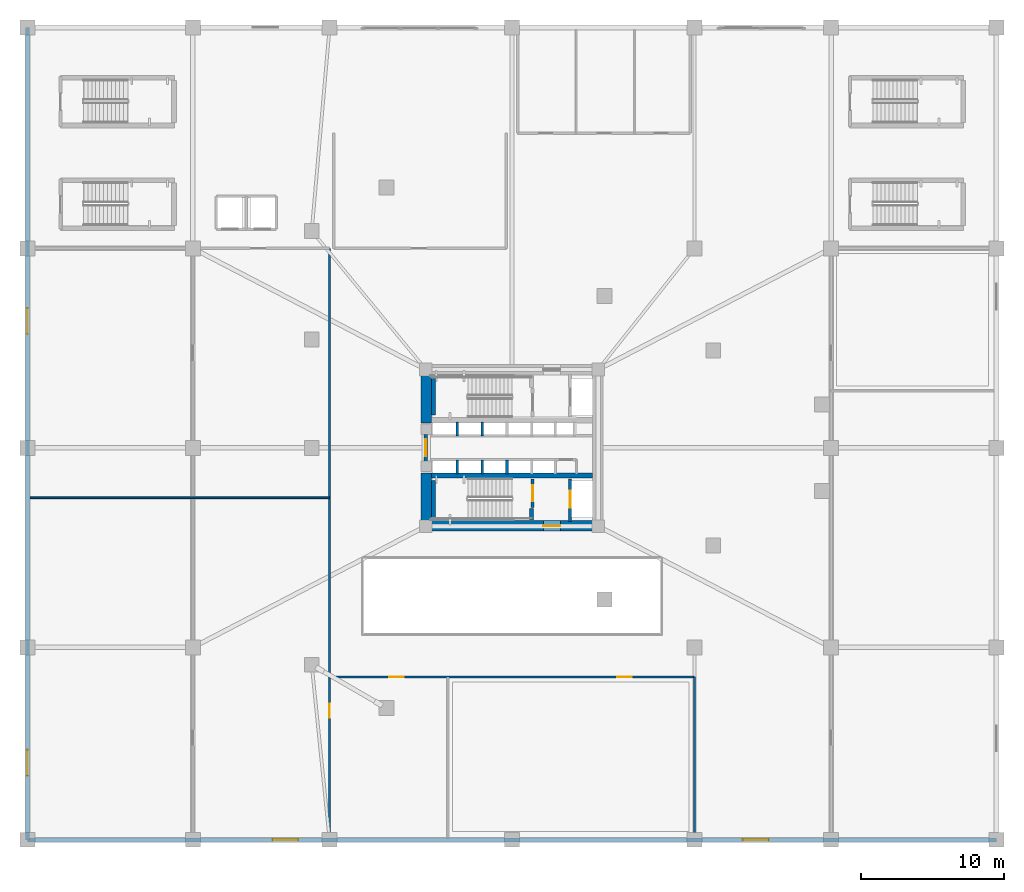
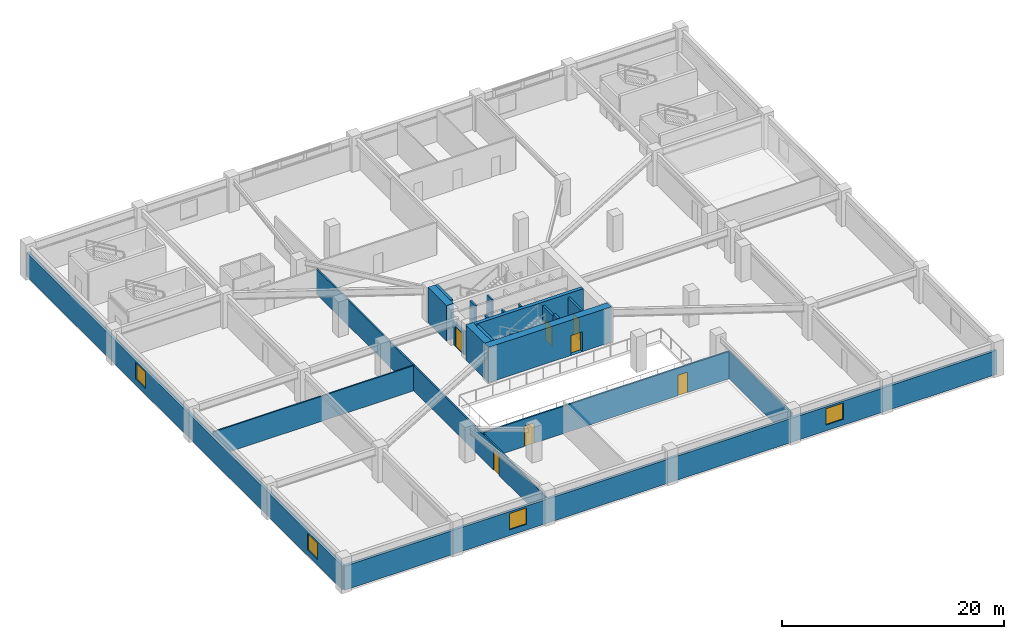
# One storey, part 4 of 15: 21 walls, 7 doors, 4 windows, 11 openings.
"""IFC4 building model written with IfcOpenShell, lengths in metres."""

from ifc_helpers import new_model, si_unit, direction, frame, frame_2d, origin, place, context, subcontext, project, spatial, rectangle, extrude, material, layer, layer_set, type_object, element, fill, save


model = new_model("IFC4")

# Units and contexts
model_context = context("Model", 3, precision=1e-05, world=origin(), true_north=direction((0.0, 1.0)))
body_context = subcontext(model_context, "Body", "Model", "MODEL_VIEW")
ifc_project = project(units=[si_unit("LENGTHUNIT", "METRE"), si_unit("AREAUNIT", "SQUARE_METRE"), si_unit("VOLUMEUNIT", "CUBIC_METRE"), si_unit("PLANEANGLEUNIT", "RADIAN"), si_unit("MASSUNIT", "GRAM", prefix="KILO")], contexts=[model_context])

# Site, building, storey
site_placement = place(None, origin())
site = spatial("IfcSite", under=ifc_project, at=site_placement, CompositionType="ELEMENT")
building_placement = place(site_placement, origin())
building = spatial("IfcBuilding", under=site, at=building_placement, Name="Yunling Apex Tower", CompositionType="ELEMENT")
storey_placement = place(building_placement, frame((0.0, 0.0, 12.300048828125)))
storey = spatial("IfcBuildingStorey", under=building, at=storey_placement, Name="L04", CompositionType="ELEMENT", Elevation=12.300048828125)

# Wall, opening, door
ifc_material_1 = material(Name="Concrete C60", Category="concrete")
ifc_layer_1 = layer(ifc_material_1, 0.75)
ifc_layer_set_1 = layer_set([ifc_layer_1], Name="Concrete C60")
wall_type_1 = type_object("IfcWallType", Name="WL-COR-1", PredefinedType="SHEAR", material=ifc_layer_set_1)
wall_1_placement = place(storey_placement, frame((-6.39990234375, -5.47509765625, 0.0), z_axis=(0.0, 0.0, 1.0), x_axis=(1.0, 0.0, 0.0)))
wall_1 = element("IfcWall", 1, at=wall_1_placement, inside=storey, type_object=wall_type_1, Name="L04 South Core Shear Wall", PredefinedType="SHEAR", context=body_context, shape_type="SweptSolid", body=[
    extrude(rectangle(XDim=12.7998046875, YDim=0.75, at=frame_2d((6.39990234375, 0.0))), origin(), (0.0, 0.0, 1.0), 3.89990234375),
])
opening_1_placement = place(wall_1_placement, frame((8.60009765625, 0.0, 0.0)))
opening_1 = element("IfcOpeningElement", 2, at=opening_1_placement, cuts=wall_1, Name="Opening DR-FFL-1", PredefinedType="OPENING", context=body_context, shape_type="SweptSolid", body=[
    extrude(rectangle(XDim=1.199951171875, YDim=2.199951171875, at=frame_2d((0.60009765625, 1.10009765625))), frame((0.0, 0.385009765625, 0.0), z_axis=(0.0, -1.0, 0.0), x_axis=(1.0, 0.0, 0.0)), (0.0, 0.0, 1.0), 0.77001953125),
])
ifc_material_2 = material(Name="Steel Q355B", Category="steel")
door_type_1 = type_object("IfcDoorType", Name="DR-FFL-1", OperationType="NOTDEFINED", PredefinedType="DOOR", material=ifc_material_2)
door_1_placement = place(opening_1_placement, origin())
door_1 = element("IfcDoor", 3, at=door_1_placement, inside=storey, type_object=door_type_1, Name="L04 South Firefighting Lobby Door", OperationType="SINGLE_SWING_RIGHT", OverallHeight=2.199951171875, OverallWidth=1.199951171875, PredefinedType="DOOR", context=body_context, shape_type="SweptSolid", body=[
    extrude(rectangle(XDim=1.199951171875, YDim=2.199951171875, at=frame_2d((0.60009765625, 1.10009765625))), frame((0.0, 0.02490234375, 0.0), z_axis=(0.0, -1.0, 0.0), x_axis=(1.0, 0.0, 0.0)), (0.0, 0.0, 1.0), 0.050048828125),
])
fill(opening_1, door_1)

# Walls
for number, where, z_axis, x_axis, name in (
    (4, (-6.02490234375, -5.10009765625, 0.0), (0.0, 0.0, 1.0), (0.0, 1.0, 0.0), "L04 West-South Core Shear Wall"),
    (5, (-6.02490234375, 1.75, 0.0), (0.0, 0.0, 1.0), (0.0, 1.0, 0.0), "L04 West-North Core Shear Wall"),
):
    element("IfcWall", number, at=place(storey_placement, frame(where, z_axis=z_axis, x_axis=x_axis)), inside=storey, type_object=wall_type_1, Name=name, PredefinedType="SHEAR", context=body_context, shape_type="SweptSolid", body=[
        extrude(rectangle(XDim=3.35009765625, YDim=0.75, at=frame_2d((1.675048828125, 0.0))), origin(), (0.0, 0.0, 1.0), 3.89990234375),
    ])
ifc_material_3 = material(Name="Concrete C40", Category="concrete")
ifc_layer_2 = layer(ifc_material_3, 0.360107421875)
ifc_layer_set_2 = layer_set([ifc_layer_2], Name="Concrete C40")
wall_type_2 = type_object("IfcWallType", Name="WL-COR-4", PredefinedType="SHEAR", material=ifc_layer_set_2)
wall_2_placement = place(storey_placement, frame((-5.64990234375, -1.93994140625, 0.0), z_axis=(0.0, 0.0, 1.0), x_axis=(1.0, 0.0, 0.0)))
element("IfcWall", 6, at=wall_2_placement, inside=storey, type_object=wall_type_2, Name="L04 South Internal Core Shear Wall", PredefinedType="SHEAR", context=body_context, shape_type="SweptSolid", body=[
    extrude(rectangle(XDim=11.2998046875, YDim=0.360107421875, at=frame_2d((5.64990234375, 0.0))), origin(), (0.0, 0.0, 1.0), 3.89990234375),
])
ifc_layer_3 = layer(ifc_material_3, 0.280029296875)
ifc_layer_set_3 = layer_set([ifc_layer_3], Name="Concrete C40")
wall_type_3 = type_object("IfcWallType", Name="WL-COR-8", PredefinedType="SHEAR", material=ifc_layer_set_3)
for number, where, z_axis, x_axis, name in (
    (7, (-5.52001953125, 2.300048828125, 0.0), (0.0, 0.0, 1.0), (0.0, 1.0, 0.0), "L04 ST-1 West Landing Bearing Wall"),
    (8, (-5.52001953125, -5.050048828125, 0.0), (0.0, 0.0, 1.0), (0.0, 1.0, 0.0), "L04 ST-2 West Landing Bearing Wall"),
):
    element("IfcWall", number, at=place(storey_placement, frame(where, z_axis=z_axis, x_axis=x_axis)), inside=storey, type_object=wall_type_3, Name=name, PredefinedType="SHEAR", context=body_context, shape_type="SweptSolid", body=[
        extrude(rectangle(XDim=2.75, YDim=0.280029296875, at=frame_2d((1.375, 0.0))), origin(), (0.0, 0.0, 1.0), 3.89990234375),
    ])
wall_3_placement = place(storey_placement, frame((1.3798828125, -5.050048828125, 0.0), z_axis=(0.0, 0.0, 1.0), x_axis=(0.0, 1.0, 0.0)))
element("IfcWall", 9, at=wall_3_placement, inside=storey, type_object=wall_type_3, Name="L04 ST-2 East Landing Bearing Pier", PredefinedType="SHEAR", context=body_context, shape_type="SweptSolid", body=[
    extrude(rectangle(XDim=0.800048828125, YDim=0.280029296875, at=frame_2d((0.39990234375, 0.0))), origin(), (0.0, 0.0, 1.0), 3.89990234375),
])

# Wall, openings, windows
ifc_material_4 = material(Name="Precast concrete C40", Category="concrete")
ifc_layer_4 = layer(ifc_material_4, 0.280029296875)
ifc_layer_set_4 = layer_set([ifc_layer_4], Name="Precast concrete C40")
wall_type_4 = type_object("IfcWallType", Name="WL-EXT-2", PredefinedType="SOLIDWALL", material=ifc_layer_set_4)
wall_4_placement = place(storey_placement, frame((34.0, -27.5, 0.0), z_axis=(0.0, 0.0, 1.0), x_axis=(-1.0, 0.0, 0.0)))
wall_4 = element("IfcWall", 10, at=wall_4_placement, inside=storey, type_object=wall_type_4, Name="WL-POD-L04-S", PredefinedType="SOLIDWALL", context=body_context, shape_type="SweptSolid", body=[
    extrude(rectangle(XDim=68.0, YDim=0.280029296875, at=frame_2d((34.0, 0.0))), origin(), (0.0, 0.0, 1.0), 2.64990234375),
])
opening_2_placement = place(wall_4_placement, frame((16.0, 0.0, 0.64990234375)))
opening_2 = element("IfcOpeningElement", 11, at=opening_2_placement, cuts=wall_4, Name="Opening WN-POD-2", PredefinedType="OPENING", context=body_context, shape_type="SweptSolid", body=[
    extrude(rectangle(XDim=1.800048828125, YDim=1.800048828125, at=frame_2d((0.89990234375, 0.89990234375))), frame((0.0, 0.14990234375, 0.0), z_axis=(0.0, -1.0, 0.0), x_axis=(1.0, 0.0, 0.0)), (0.0, 0.0, 1.0), 0.300048828125),
])
opening_3_placement = place(wall_4_placement, frame((49.0, 0.0, 0.64990234375)))
opening_3 = element("IfcOpeningElement", 12, at=opening_3_placement, cuts=wall_4, Name="Opening WN-POD-2", PredefinedType="OPENING", context=body_context, shape_type="SweptSolid", body=[
    extrude(rectangle(XDim=1.800048828125, YDim=1.800048828125, at=frame_2d((0.89990234375, 0.89990234375))), frame((0.0, 0.14990234375, 0.0), z_axis=(0.0, -1.0, 0.0), x_axis=(1.0, 0.0, 0.0)), (0.0, 0.0, 1.0), 0.300048828125),
])
ifc_material_5 = material(Name="Bronze tinted low-E glass", Category="glass")
window_type = type_object("IfcWindowType", Name="WN-POD-2", PartitioningType="SINGLE_PANEL", PredefinedType="WINDOW", material=ifc_material_5)
window_1_placement = place(opening_2_placement, origin())
window_1 = element("IfcWindow", 13, at=window_1_placement, inside=storey, type_object=window_type, Name="WN-L04-S-1", OverallHeight=1.800048828125, OverallWidth=1.800048828125, PartitioningType="SINGLE_PANEL", PredefinedType="WINDOW", context=body_context, shape_type="SweptSolid", body=[
    extrude(rectangle(XDim=1.800048828125, YDim=1.800048828125, at=frame_2d((0.89990234375, 0.89990234375))), frame((0.0, 0.030029296875, 0.0), z_axis=(0.0, -1.0, 0.0), x_axis=(1.0, 0.0, 0.0)), (0.0, 0.0, 1.0), 0.06005859375),
])
fill(opening_2, window_1)
window_2_placement = place(opening_3_placement, origin())
window_2 = element("IfcWindow", 14, at=window_2_placement, inside=storey, type_object=window_type, Name="WN-L04-S-2", OverallHeight=1.800048828125, OverallWidth=1.800048828125, PartitioningType="SINGLE_PANEL", PredefinedType="WINDOW", context=body_context, shape_type="SweptSolid", body=[
    extrude(rectangle(XDim=1.800048828125, YDim=1.800048828125, at=frame_2d((0.89990234375, 0.89990234375))), frame((0.0, 0.030029296875, 0.0), z_axis=(0.0, -1.0, 0.0), x_axis=(1.0, 0.0, 0.0)), (0.0, 0.0, 1.0), 0.06005859375),
])
fill(opening_3, window_2)

wall_5_placement = place(storey_placement, frame((-34.0, -27.5, 0.0), z_axis=(0.0, 0.0, 1.0), x_axis=(0.0, 1.0, 0.0)))
wall_5 = element("IfcWall", 15, at=wall_5_placement, inside=storey, type_object=wall_type_4, Name="WL-POD-L04-W", PredefinedType="SOLIDWALL", context=body_context, shape_type="SweptSolid", body=[
    extrude(rectangle(XDim=57.0, YDim=0.280029296875, at=frame_2d((28.5, 0.0))), origin(), (0.0, 0.0, 1.0), 2.64990234375),
])
opening_4_placement = place(wall_5_placement, frame((4.5, 0.0, 0.64990234375)))
opening_4 = element("IfcOpeningElement", 16, at=opening_4_placement, cuts=wall_5, Name="Opening WN-POD-2", PredefinedType="OPENING", context=body_context, shape_type="SweptSolid", body=[
    extrude(rectangle(XDim=1.800048828125, YDim=1.800048828125, at=frame_2d((0.89990234375, 0.89990234375))), frame((0.0, 0.14990234375, 0.0), z_axis=(0.0, -1.0, 0.0), x_axis=(1.0, 0.0, 0.0)), (0.0, 0.0, 1.0), 0.300048828125),
])
opening_5_placement = place(wall_5_placement, frame((35.5, 0.0, 0.64990234375)))
opening_5 = element("IfcOpeningElement", 17, at=opening_5_placement, cuts=wall_5, Name="Opening WN-POD-2", PredefinedType="OPENING", context=body_context, shape_type="SweptSolid", body=[
    extrude(rectangle(XDim=1.800048828125, YDim=1.800048828125, at=frame_2d((0.89990234375, 0.89990234375))), frame((0.0, 0.14990234375, 0.0), z_axis=(0.0, -1.0, 0.0), x_axis=(1.0, 0.0, 0.0)), (0.0, 0.0, 1.0), 0.300048828125),
])
window_3_placement = place(opening_4_placement, origin())
window_3 = element("IfcWindow", 18, at=window_3_placement, inside=storey, type_object=window_type, Name="WN-L04-W-1", OverallHeight=1.800048828125, OverallWidth=1.800048828125, PartitioningType="SINGLE_PANEL", PredefinedType="WINDOW", context=body_context, shape_type="SweptSolid", body=[
    extrude(rectangle(XDim=1.800048828125, YDim=1.800048828125, at=frame_2d((0.89990234375, 0.89990234375))), frame((0.0, 0.030029296875, 0.0), z_axis=(0.0, -1.0, 0.0), x_axis=(1.0, 0.0, 0.0)), (0.0, 0.0, 1.0), 0.06005859375),
])
fill(opening_4, window_3)
window_4_placement = place(opening_5_placement, origin())
window_4 = element("IfcWindow", 19, at=window_4_placement, inside=storey, type_object=window_type, Name="WN-L04-W-2", OverallHeight=1.800048828125, OverallWidth=1.800048828125, PartitioningType="SINGLE_PANEL", PredefinedType="WINDOW", context=body_context, shape_type="SweptSolid", body=[
    extrude(rectangle(XDim=1.800048828125, YDim=1.800048828125, at=frame_2d((0.89990234375, 0.89990234375))), frame((0.0, 0.030029296875, 0.0), z_axis=(0.0, -1.0, 0.0), x_axis=(1.0, 0.0, 0.0)), (0.0, 0.0, 1.0), 0.06005859375),
])
fill(opening_5, window_4)

# Wall, opening, door
ifc_material_6 = material(Name="Gypsum board acoustic partition")
ifc_layer_5 = layer(ifc_material_6, 0.159912109375)
ifc_layer_set_5 = layer_set([ifc_layer_5], Name="Gypsum board acoustic partition")
wall_type_5 = type_object("IfcWallType", Name="WL-PRT-1", PredefinedType="PARTITIONING", material=ifc_layer_set_5)
wall_6_placement = place(storey_placement, frame((-12.800048828125, -27.35009765625, 0.0), z_axis=(0.0, 0.0, 1.0), x_axis=(0.0, 1.0, 0.0)))
wall_6 = element("IfcWall", 20, at=wall_6_placement, inside=storey, type_object=wall_type_5, Name="WL-L04-WE", PredefinedType="PARTITIONING", context=body_context, shape_type="SweptSolid", body=[
    extrude(rectangle(XDim=41.35009765625, YDim=0.159912109375, at=frame_2d((20.675048828125, 0.0))), origin(), (0.0, 0.0, 1.0), 2.77490234375),
])
opening_6_placement = place(wall_6_placement, frame((8.39990234375, 0.0, 0.0)))
opening_6 = element("IfcOpeningElement", 21, at=opening_6_placement, cuts=wall_6, Name="Opening DR-OFF-1", PredefinedType="OPENING", context=body_context, shape_type="SweptSolid", body=[
    extrude(rectangle(XDim=1.0, YDim=2.25, at=frame_2d((0.5, 1.125))), frame((0.0, 0.08984375, 0.0), z_axis=(0.0, -1.0, 0.0), x_axis=(1.0, 0.0, 0.0)), (0.0, 0.0, 1.0), 0.179931640625),
])
ifc_material_7 = material(Name="Bronze anodised aluminium", Category="aluminium")
door_type_2 = type_object("IfcDoorType", Name="DR-OFF-1", OperationType="NOTDEFINED", PredefinedType="DOOR", material=ifc_material_7)
door_2_placement = place(opening_6_placement, origin())
door_2 = element("IfcDoor", 22, at=door_2_placement, inside=storey, type_object=door_type_2, Name="L04 Plenary Conference Hall Door", OperationType="SINGLE_SWING_RIGHT", OverallHeight=2.25, OverallWidth=1.0, PredefinedType="DOOR", context=body_context, shape_type="SweptSolid", body=[
    extrude(rectangle(XDim=1.0, YDim=2.25, at=frame_2d((0.5, 1.125))), frame((0.0, 0.02490234375, 0.0), z_axis=(0.0, -1.0, 0.0), x_axis=(1.0, 0.0, 0.0)), (0.0, 0.0, 1.0), 0.050048828125),
])
fill(opening_6, door_2)

# Wall, openings, doors
wall_7_placement = place(storey_placement, frame((-12.800048828125, -16.080078125, 0.0), z_axis=(0.0, 0.0, 1.0), x_axis=(1.0, 0.0, 0.0)))
wall_7 = element("IfcWall", 23, at=wall_7_placement, inside=storey, type_object=wall_type_5, Name="WL-L04-SN", PredefinedType="PARTITIONING", context=body_context, shape_type="SweptSolid", body=[
    extrude(rectangle(XDim=25.60009765625, YDim=0.159912109375, at=frame_2d((12.800048828125, 0.0))), origin(), (0.0, 0.0, 1.0), 3.02490234375),
])
opening_7_placement = place(wall_7_placement, frame((4.199951171875, 0.0, 0.0)))
opening_7 = element("IfcOpeningElement", 24, at=opening_7_placement, cuts=wall_7, Name="Opening DR-OFF-1", PredefinedType="OPENING", context=body_context, shape_type="SweptSolid", body=[
    extrude(rectangle(XDim=1.0, YDim=2.25, at=frame_2d((0.5, 1.125))), frame((0.0, 0.08984375, 0.0), z_axis=(0.0, -1.0, 0.0), x_axis=(1.0, 0.0, 0.0)), (0.0, 0.0, 1.0), 0.179931640625),
])
opening_8_placement = place(wall_7_placement, frame((20.199951171875, 0.0, 0.0)))
opening_8 = element("IfcOpeningElement", 25, at=opening_8_placement, cuts=wall_7, Name="Opening DR-OFF-1", PredefinedType="OPENING", context=body_context, shape_type="SweptSolid", body=[
    extrude(rectangle(XDim=1.0, YDim=2.25, at=frame_2d((0.5, 1.125))), frame((0.0, 0.08984375, 0.0), z_axis=(0.0, -1.0, 0.0), x_axis=(1.0, 0.0, 0.0)), (0.0, 0.0, 1.0), 0.179931640625),
])
door_3_placement = place(opening_7_placement, origin())
door_3 = element("IfcDoor", 26, at=door_3_placement, inside=storey, type_object=door_type_2, Name="L04 Briefing Room Door", OperationType="SINGLE_SWING_RIGHT", OverallHeight=2.25, OverallWidth=1.0, PredefinedType="DOOR", context=body_context, shape_type="SweptSolid", body=[
    extrude(rectangle(XDim=1.0, YDim=2.25, at=frame_2d((0.5, 1.125))), frame((0.0, 0.02490234375, 0.0), z_axis=(0.0, -1.0, 0.0), x_axis=(1.0, 0.0, 0.0)), (0.0, 0.0, 1.0), 0.050048828125),
])
fill(opening_7, door_3)
door_4_placement = place(opening_8_placement, origin())
door_4 = element("IfcDoor", 27, at=door_4_placement, inside=storey, type_object=door_type_2, Name="L04 Atrium Salon Door", OperationType="SINGLE_SWING_LEFT", OverallHeight=2.25, OverallWidth=1.0, PredefinedType="DOOR", context=body_context, shape_type="SweptSolid", body=[
    extrude(rectangle(XDim=1.0, YDim=2.25, at=frame_2d((0.5, 1.125))), frame((0.0, 0.02490234375, 0.0), z_axis=(0.0, -1.0, 0.0), x_axis=(1.0, 0.0, 0.0)), (0.0, 0.0, 1.0), 0.050048828125),
])
fill(opening_8, door_4)

# Walls
wall_8_placement = place(storey_placement, frame((12.800048828125, -27.35009765625, 0.0), z_axis=(0.0, 0.0, 1.0), x_axis=(0.0, 1.0, 0.0)))
element("IfcWall", 28, at=wall_8_placement, inside=storey, type_object=wall_type_5, Name="WL-L04-SE", PredefinedType="PARTITIONING", context=body_context, shape_type="SweptSolid", body=[
    extrude(rectangle(XDim=11.27001953125, YDim=0.159912109375, at=frame_2d((5.635009765625, 0.0))), origin(), (0.0, 0.0, 1.0), 3.02490234375),
])
ifc_layer_6 = layer(ifc_material_6, 0.139892578125)
ifc_layer_set_6 = layer_set([ifc_layer_6], Name="Gypsum board acoustic partition")
wall_type_6 = type_object("IfcWallType", Name="WL-PRT-2", PredefinedType="PARTITIONING", material=ifc_layer_set_6)
wall_9_placement = place(storey_placement, frame((-33.800048828125, -3.5, 0.0), z_axis=(0.0, 0.0, 1.0), x_axis=(1.0, 0.0, 0.0)))
element("IfcWall", 29, at=wall_9_placement, inside=storey, type_object=wall_type_6, Name="WL-L04-WM", PredefinedType="PARTITIONING", context=body_context, shape_type="SweptSolid", body=[
    extrude(rectangle(XDim=21.0, YDim=0.139892578125, at=frame_2d((10.5, 0.0))), origin(), (0.0, 0.0, 1.0), 2.77490234375),
])

# Wall, opening, door
ifc_material_8 = material(Name="Autoclaved aerated concrete masonry", Category="masonry")
ifc_layer_7 = layer(ifc_material_8, 0.219970703125)
ifc_layer_set_7 = layer_set([ifc_layer_7], Name="Autoclaved aerated concrete masonry")
wall_type_7 = type_object("IfcWallType", Name="WL-SHF-1", PredefinedType="PLUMBINGWALL", material=ifc_layer_set_7)
wall_10_placement = place(storey_placement, frame((-6.050048828125, -0.949951171875, 0.0), z_axis=(0.0, 0.0, 1.0), x_axis=(0.0, 1.0, 0.0)))
wall_10 = element("IfcWall", 30, at=wall_10_placement, inside=storey, type_object=wall_type_7, Name="WL-COR-WPORT-L04", PredefinedType="PLUMBINGWALL", context=body_context, shape_type="SweptSolid", body=[
    extrude(rectangle(XDim=1.89990234375, YDim=0.219970703125, at=frame_2d((0.949951171875, 0.0))), origin(), (0.0, 0.0, 1.0), 2.550048828125),
])
opening_9_placement = place(wall_10_placement, frame((0.35009765625, 0.0, 0.0)))
opening_9 = element("IfcOpeningElement", 31, at=opening_9_placement, cuts=wall_10, Name="Opening DR-FFL-1", PredefinedType="OPENING", context=body_context, shape_type="SweptSolid", body=[
    extrude(rectangle(XDim=1.199951171875, YDim=2.199951171875, at=frame_2d((0.60009765625, 1.10009765625))), frame((0.0, 0.1201171875, 0.0), z_axis=(0.0, -1.0, 0.0), x_axis=(1.0, 0.0, 0.0)), (0.0, 0.0, 1.0), 0.239990234375),
])
door_5_placement = place(opening_9_placement, origin())
door_5 = element("IfcDoor", 32, at=door_5_placement, inside=storey, type_object=door_type_1, Name="L04 Passenger Lift Lobby Entrance Door", OperationType="SINGLE_SWING_RIGHT", OverallHeight=2.199951171875, OverallWidth=1.199951171875, PredefinedType="DOOR", context=body_context, shape_type="SweptSolid", body=[
    extrude(rectangle(XDim=1.199951171875, YDim=2.199951171875, at=frame_2d((0.60009765625, 1.10009765625))), frame((0.0, 0.02490234375, 0.0), z_axis=(0.0, -1.0, 0.0), x_axis=(1.0, 0.0, 0.0)), (0.0, 0.0, 1.0), 0.050048828125),
])
fill(opening_9, door_5)

wall_11_placement = place(storey_placement, frame((1.449951171875, -4.179931640625, 0.0), z_axis=(0.0, 0.0, 1.0), x_axis=(0.0, 1.0, 0.0)))
wall_11 = element("IfcWall", 33, at=wall_11_placement, inside=storey, type_object=wall_type_7, Name="WL-ST2-E-L04", PredefinedType="PLUMBINGWALL", context=body_context, shape_type="SweptSolid", body=[
    extrude(rectangle(XDim=1.97998046875, YDim=0.219970703125, at=frame_2d((0.989990234375, 0.0))), origin(), (0.0, 0.0, 1.0), 3.570068359375),
])
opening_10_placement = place(wall_11_placement, frame((0.419921875, 0.0, 0.0)))
opening_10 = element("IfcOpeningElement", 34, at=opening_10_placement, cuts=wall_11, Name="Opening DR-ST-1", PredefinedType="OPENING", context=body_context, shape_type="SweptSolid", body=[
    extrude(rectangle(XDim=1.14990234375, YDim=2.14990234375, at=frame_2d((0.574951171875, 1.074951171875))), frame((0.0, 0.1201171875, 0.0), z_axis=(0.0, -1.0, 0.0), x_axis=(1.0, 0.0, 0.0)), (0.0, 0.0, 1.0), 0.239990234375),
])
door_type_3 = type_object("IfcDoorType", Name="DR-ST-1", OperationType="NOTDEFINED", PredefinedType="DOOR", material=ifc_material_2)
door_6_placement = place(opening_10_placement, origin())
door_6 = element("IfcDoor", 35, at=door_6_placement, inside=storey, type_object=door_type_3, Name="L04 Stair ST-2 Fire Door", OperationType="SINGLE_SWING_LEFT", OverallHeight=2.14990234375, OverallWidth=1.14990234375, PredefinedType="DOOR", context=body_context, shape_type="SweptSolid", body=[
    extrude(rectangle(XDim=1.14990234375, YDim=2.14990234375, at=frame_2d((0.574951171875, 1.074951171875))), frame((0.0, 0.02490234375, 0.0), z_axis=(0.0, -1.0, 0.0), x_axis=(1.0, 0.0, 0.0)), (0.0, 0.0, 1.0), 0.050048828125),
])
fill(opening_10, door_6)

wall_12_placement = place(storey_placement, frame((4.080078125, -5.14990234375, 0.0), z_axis=(0.0, 0.0, 1.0), x_axis=(0.0, 1.0, 0.0)))
wall_12 = element("IfcWall", 36, at=wall_12_placement, inside=storey, type_object=wall_type_7, Name="WL-FFL2-W-L04", PredefinedType="PLUMBINGWALL", context=body_context, shape_type="SweptSolid", body=[
    extrude(rectangle(XDim=2.949951171875, YDim=0.219970703125, at=frame_2d((1.47509765625, 0.0))), origin(), (0.0, 0.0, 1.0), 3.570068359375),
])
opening_11_placement = place(wall_12_placement, frame((0.949951171875, 0.0, 0.0)))
opening_11 = element("IfcOpeningElement", 37, at=opening_11_placement, cuts=wall_12, Name="Opening LD-FFL-1", PredefinedType="OPENING", context=body_context, shape_type="SweptSolid", body=[
    extrude(rectangle(XDim=1.199951171875, YDim=2.25, at=frame_2d((0.60009765625, 1.125))), frame((0.0, 0.1201171875, 0.0), z_axis=(0.0, -1.0, 0.0), x_axis=(1.0, 0.0, 0.0)), (0.0, 0.0, 1.0), 0.239990234375),
])
door_type_4 = type_object("IfcDoorType", Name="LD-FFL-1", OperationType="DOUBLE_DOOR_SLIDING", PredefinedType="DOOR", material=ifc_material_2)
door_7_placement = place(opening_11_placement, origin())
door_7 = element("IfcDoor", 38, at=door_7_placement, inside=storey, type_object=door_type_4, Name="L04 Lift FFL-2 Landing Door", OperationType="DOUBLE_DOOR_SLIDING", OverallHeight=2.25, OverallWidth=1.199951171875, PredefinedType="DOOR", context=body_context, shape_type="SweptSolid", body=[
    extrude(rectangle(XDim=1.199951171875, YDim=2.25, at=frame_2d((0.60009765625, 1.125))), frame((0.0, 0.02490234375, 0.0), z_axis=(0.0, -1.0, 0.0), x_axis=(1.0, 0.0, 0.0)), (0.0, 0.0, 1.0), 0.050048828125),
])
fill(opening_11, door_7)

# Walls
ifc_layer_8 = layer(ifc_material_8, 0.179931640625)
ifc_layer_set_8 = layer_set([ifc_layer_8], Name="Autoclaved aerated concrete masonry")
wall_type_8 = type_object("IfcWallType", Name="WL-SHF-2", PredefinedType="PLUMBINGWALL", material=ifc_layer_set_8)
for number, where, z_axis, x_axis, name in (
    (39, (-3.85009765625, 0.840087890625, 0.0), (0.0, 0.0, 1.0), (0.0, 1.0, 0.0), "WL-DIV-L12-L04"),
    (40, (-3.85009765625, -1.820068359375, 0.0), (0.0, 0.0, 1.0), (0.0, 1.0, 0.0), "WL-DIV-L34-L04"),
    (41, (-2.10009765625, 0.840087890625, 0.0), (0.0, 0.0, 1.0), (0.0, 1.0, 0.0), "WL-BNK-LM-N-L04"),
    (42, (-2.10009765625, -1.820068359375, 0.0), (0.0, 0.0, 1.0), (0.0, 1.0, 0.0), "WL-BNK-LM-S-L04"),
    (43, (-0.35009765625, -1.820068359375, 0.0), (0.0, 0.0, 1.0), (0.0, 1.0, 0.0), "WL-DIV-M34-L04"),
):
    element("IfcWall", number, at=place(storey_placement, frame(where, z_axis=z_axis, x_axis=x_axis)), inside=storey, type_object=wall_type_8, Name=name, PredefinedType="PLUMBINGWALL", context=body_context, shape_type="SweptSolid", body=[
        extrude(rectangle(XDim=0.97998046875, YDim=0.179931640625, at=frame_2d((0.489990234375, 0.0))), origin(), (0.0, 0.0, 1.0), 3.570068359375),
    ])

save(model, "model.ifc")
